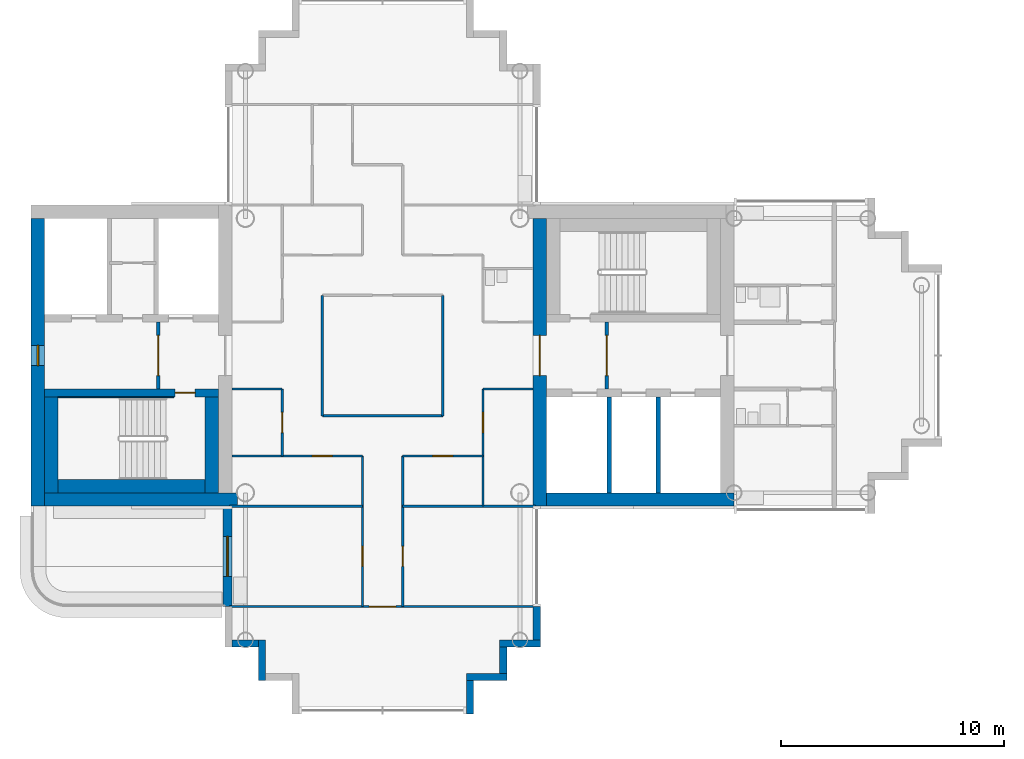
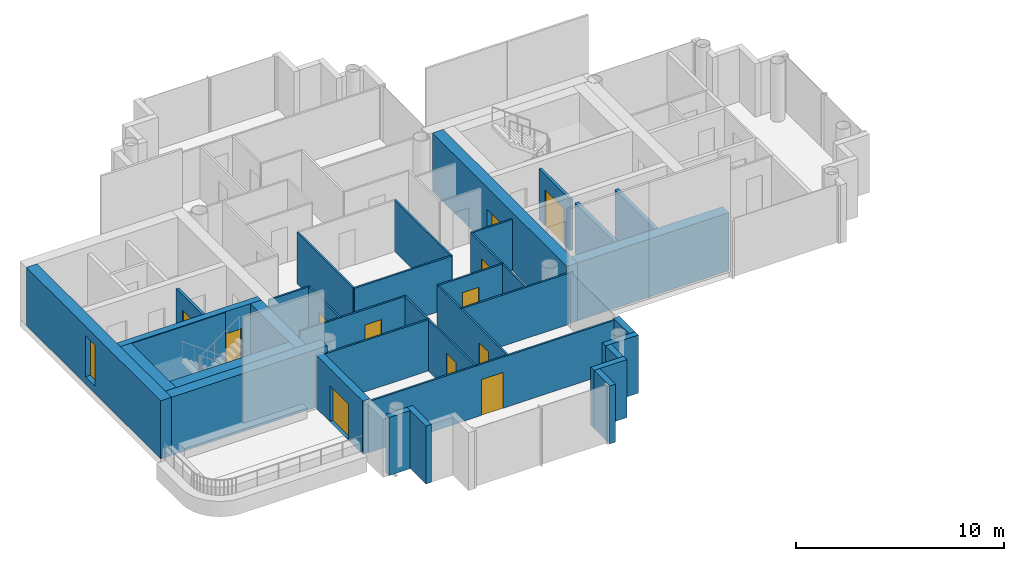
# One storey, part 6 of 18: 35 walls, 12 doors, 1 window, 13 openings.
"""IFC4 building model written with IfcOpenShell, lengths in metres."""

from ifc_helpers import new_model, si_unit, direction, frame, frame_2d, origin, place, context, subcontext, project, spatial, rectangle, extrude, material, layer, layer_set, type_object, element, fill, save


model = new_model("IFC4")

# Units and contexts
model_context = context("Model", 3, precision=1e-05, world=origin(), true_north=direction((0.0, 1.0)))
body_context = subcontext(model_context, "Body", "Model", "MODEL_VIEW")
ifc_project = project(units=[si_unit("LENGTHUNIT", "METRE"), si_unit("AREAUNIT", "SQUARE_METRE"), si_unit("VOLUMEUNIT", "CUBIC_METRE"), si_unit("PLANEANGLEUNIT", "RADIAN"), si_unit("MASSUNIT", "GRAM", prefix="KILO")], contexts=[model_context])

# Site, building, storey
site_placement = place(None, origin())
site = spatial("IfcSite", under=ifc_project, at=site_placement, CompositionType="ELEMENT")
building_placement = place(site_placement, origin())
building = spatial("IfcBuilding", under=site, at=building_placement, Name="Ipe Terrace Towers", CompositionType="ELEMENT")
storey_placement = place(building_placement, frame((0.0, 0.0, 192.60009765625)))
storey = spatial("IfcBuildingStorey", under=building, at=storey_placement, Name="L53", CompositionType="ELEMENT", Elevation=192.60009765625)

# Wall, opening, door
ifc_material_1 = material(Name="Concrete C40/50 with buff precast cladding", Category="concrete")
ifc_layer_1 = layer(ifc_material_1, 0.39990234375)
ifc_layer_set_1 = layer_set([ifc_layer_1], Name="BALCONY BAY WALL 400")
wall_type_1 = type_object("IfcWallType", Name="BALCONY BAY WALL 400", PredefinedType="STANDARD", material=ifc_layer_set_1)
wall_1_placement = place(storey_placement, frame((-42.949951171875, -6.75, -0.02001953125), z_axis=(0.0, 0.0, 1.0), x_axis=(0.0, -1.0, 0.0)))
wall_1 = element("IfcWall", 1, at=wall_1_placement, inside=storey, type_object=wall_type_1, Name="T1-W-L53-02a wall", PredefinedType="STANDARD", context=body_context, shape_type="SweptSolid", body=[
    extrude(rectangle(XDim=4.5, YDim=0.39990234375, at=frame_2d((2.25, 0.0))), origin(), (0.0, 0.0, 1.0), 3.119873046875),
])
opening_1_placement = place(wall_1_placement, frame((1.35009765625, 0.0, 0.02001953125)))
opening_1 = element("IfcOpeningElement", 2, at=opening_1_placement, cuts=wall_1, Name="Opening T1-D-L53-02", PredefinedType="OPENING", context=body_context, shape_type="SweptSolid", body=[
    extrude(rectangle(XDim=1.800048828125, YDim=2.10009765625, at=frame_2d((0.89990234375, 1.050048828125))), frame((0.0, 0.2099609375, 0.0), z_axis=(0.0, -1.0, 0.0), x_axis=(1.0, 0.0, 0.0)), (0.0, 0.0, 1.0), 0.419921875),
])
ifc_material_2 = material(Name="Aluminium alloy 6063-T6 framed glazed door", Category="aluminium")
door_type_1 = type_object("IfcDoorType", Name="BALCONY DOOR 1800 x 2100 LEFT", OperationType="SINGLE_SWING_LEFT", PredefinedType="DOOR", material=ifc_material_2)
door_1_placement = place(opening_1_placement, origin())
door_1 = element("IfcDoor", 3, at=door_1_placement, inside=storey, type_object=door_type_1, Name="DB1 door", OperationType="SINGLE_SWING_LEFT", OverallHeight=2.10009765625, OverallWidth=1.800048828125, PredefinedType="DOOR", context=body_context, shape_type="SweptSolid", body=[
    extrude(rectangle(XDim=1.800048828125, YDim=2.10009765625, at=frame_2d((0.89990234375, 1.050048828125))), frame((0.0, 0.02490234375, 0.0), z_axis=(0.0, -1.0, 0.0), x_axis=(1.0, 0.0, 0.0)), (0.0, 0.0, 1.0), 0.050048828125),
])
fill(opening_1, door_1)

# Walls
ifc_material_3 = material(Name="Concrete C40/50 with buff precast cladding", Category="concrete")
ifc_layer_2 = layer(ifc_material_3, 0.320068359375)
ifc_layer_set_2 = layer_set([ifc_layer_2], Name="BUFF CLADDING WALL 320")
wall_type_2 = type_object("IfcWallType", Name="BUFF CLADDING WALL 320", PredefinedType="STANDARD", material=ifc_layer_set_2)
wall_2_placement = place(storey_placement, frame((-42.75, -12.909912109375, -0.300048828125), z_axis=(0.0, 0.0, 1.0), x_axis=(1.0, 0.0, 0.0)))
element("IfcWall", 4, at=wall_2_placement, inside=storey, type_object=wall_type_2, Name="T1-W-L53-04a wall", PredefinedType="STANDARD", context=body_context, shape_type="SweptSolid", body=[
    extrude(rectangle(XDim=1.179931640625, YDim=0.320068359375, at=frame_2d((0.58984375, 0.0))), origin(), (0.0, 0.0, 1.0), 3.39990234375),
])
wall_3_placement = place(storey_placement, frame((-41.409912109375, -12.75, -0.300048828125), z_axis=(0.0, 0.0, 1.0), x_axis=(0.0, -1.0, 0.0)))
element("IfcWall", 5, at=wall_3_placement, inside=storey, type_object=wall_type_2, Name="T1-W-L53-05a wall", PredefinedType="STANDARD", context=body_context, shape_type="SweptSolid", body=[
    extrude(rectangle(XDim=1.820068359375, YDim=0.320068359375, at=frame_2d((0.91015625, 0.0))), origin(), (0.0, 0.0, 1.0), 3.39990234375),
])
wall_4_placement = place(storey_placement, frame((-32.090087890625, -16.070068359375, -0.300048828125), z_axis=(0.0, 0.0, 1.0), x_axis=(0.0, 1.0, 0.0)))
element("IfcWall", 6, at=wall_4_placement, inside=storey, type_object=wall_type_2, Name="T1-W-L53-09a wall", PredefinedType="STANDARD", context=body_context, shape_type="SweptSolid", body=[
    extrude(rectangle(XDim=1.5, YDim=0.320068359375, at=frame_2d((0.75, 0.0))), origin(), (0.0, 0.0, 1.0), 3.39990234375),
])
wall_5_placement = place(storey_placement, frame((-32.25, -14.409912109375, -0.300048828125), z_axis=(0.0, 0.0, 1.0), x_axis=(1.0, 0.0, 0.0)))
element("IfcWall", 7, at=wall_5_placement, inside=storey, type_object=wall_type_2, Name="T1-W-L53-10a wall", PredefinedType="STANDARD", context=body_context, shape_type="SweptSolid", body=[
    extrude(rectangle(XDim=1.820068359375, YDim=0.320068359375, at=frame_2d((0.91015625, 0.0))), origin(), (0.0, 0.0, 1.0), 3.39990234375),
])
wall_6_placement = place(storey_placement, frame((-30.590087890625, -14.25, -0.300048828125), z_axis=(0.0, 0.0, 1.0), x_axis=(0.0, 1.0, 0.0)))
element("IfcWall", 8, at=wall_6_placement, inside=storey, type_object=wall_type_2, Name="T1-W-L53-11a wall", PredefinedType="STANDARD", context=body_context, shape_type="SweptSolid", body=[
    extrude(rectangle(XDim=1.179931640625, YDim=0.320068359375, at=frame_2d((0.58984375, 0.0))), origin(), (0.0, 0.0, 1.0), 3.39990234375),
])
wall_7_placement = place(storey_placement, frame((-30.75, -12.909912109375, -0.300048828125), z_axis=(0.0, 0.0, 1.0), x_axis=(1.0, 0.0, 0.0)))
element("IfcWall", 9, at=wall_7_placement, inside=storey, type_object=wall_type_2, Name="T1-W-L53-12a wall", PredefinedType="STANDARD", context=body_context, shape_type="SweptSolid", body=[
    extrude(rectangle(XDim=1.820068359375, YDim=0.320068359375, at=frame_2d((0.91015625, 0.0))), origin(), (0.0, 0.0, 1.0), 3.39990234375),
])
wall_8_placement = place(storey_placement, frame((-29.090087890625, -12.75, -0.300048828125), z_axis=(0.0, 0.0, 1.0), x_axis=(0.0, 1.0, 0.0)))
element("IfcWall", 10, at=wall_8_placement, inside=storey, type_object=wall_type_2, Name="T1-W-L53-13a wall", PredefinedType="STANDARD", context=body_context, shape_type="SweptSolid", body=[
    extrude(rectangle(XDim=1.5, YDim=0.320068359375, at=frame_2d((0.75, 0.0))), origin(), (0.0, 0.0, 1.0), 3.39990234375),
])

# Wall, opening, door
ifc_material_4 = material(Name="Gypsum board partition", Category="plasterboard")
ifc_layer_3 = layer(ifc_material_4, 0.10009765625)
ifc_layer_set_3 = layer_set([ifc_layer_3], Name="Gypsum board partition 100 mm")
wall_type_3 = type_object("IfcWallType", Name="Gypsum board partition 100 mm", PredefinedType="PARTITIONING", material=ifc_layer_set_3)
wall_9_placement = place(storey_placement, frame((-40.5, -4.5, 0.0), z_axis=(0.0, 0.0, 1.0), x_axis=(0.0, 1.0, 0.0)))
wall_9 = element("IfcWall", 11, at=wall_9_placement, inside=storey, type_object=wall_type_3, Name="Gypsum board partition T1 L53 W01", PredefinedType="PARTITIONING", context=body_context, shape_type="SweptSolid", body=[
    extrude(rectangle(XDim=3.0, YDim=0.10009765625, at=frame_2d((1.5, 0.0))), origin(), (0.0, 0.0, 1.0), 3.0),
])
opening_2_placement = place(wall_9_placement, frame((1.050048828125, 0.0, 0.0)))
opening_2 = element("IfcOpeningElement", 12, at=opening_2_placement, cuts=wall_9, Name="Opening T1-Z4C-07", PredefinedType="OPENING", context=body_context, shape_type="SweptSolid", body=[
    extrude(rectangle(XDim=0.89990234375, YDim=2.10009765625, at=frame_2d((0.449951171875, 1.050048828125))), frame((0.0, 0.06005859375, 0.0), z_axis=(0.0, -1.0, 0.0), x_axis=(1.0, 0.0, 0.0)), (0.0, 0.0, 1.0), 0.1201171875),
])
ifc_material_5 = material(Name="Timber door leaf", Category="wood")
door_type_2 = type_object("IfcDoorType", Name="Lounge door 900 x 2100", OperationType="NOTDEFINED", PredefinedType="DOOR", material=ifc_material_5)
door_2_placement = place(opening_2_placement, origin())
door_2 = element("IfcDoor", 13, at=door_2_placement, inside=storey, type_object=door_type_2, Name="Lounge door T1-Z4C-07", OperationType="SINGLE_SWING_LEFT", OverallHeight=2.10009765625, OverallWidth=0.89990234375, PredefinedType="DOOR", context=body_context, shape_type="SweptSolid", body=[
    extrude(rectangle(XDim=0.89990234375, YDim=2.10009765625, at=frame_2d((0.449951171875, 1.050048828125))), frame((0.0, 0.02490234375, 0.0), z_axis=(0.0, -1.0, 0.0), x_axis=(1.0, 0.0, 0.0)), (0.0, 0.0, 1.0), 0.050048828125),
])
fill(opening_2, door_2)

# Wall
wall_10_placement = place(storey_placement, frame((-38.699951171875, -2.699951171875, 0.0), z_axis=(0.0, 0.0, 1.0), x_axis=(0.0, 1.0, 0.0)))
element("IfcWall", 14, at=wall_10_placement, inside=storey, type_object=wall_type_3, Name="Gypsum board partition T1 L53 W04", PredefinedType="PARTITIONING", context=body_context, shape_type="SweptSolid", body=[
    extrude(rectangle(XDim=5.39990234375, YDim=0.10009765625, at=frame_2d((2.699951171875, 0.0))), origin(), (0.0, 0.0, 1.0), 3.0),
])

# Wall, opening, door
wall_11_placement = place(storey_placement, frame((-36.89990234375, -11.25, 0.0), z_axis=(0.0, 0.0, 1.0), x_axis=(0.0, 1.0, 0.0)))
wall_11 = element("IfcWall", 15, at=wall_11_placement, inside=storey, type_object=wall_type_3, Name="Gypsum board partition T1 L53 W06", PredefinedType="PARTITIONING", context=body_context, shape_type="SweptSolid", body=[
    extrude(rectangle(XDim=6.75, YDim=0.10009765625, at=frame_2d((3.375, 0.0))), origin(), (0.0, 0.0, 1.0), 3.0),
])
opening_3_placement = place(wall_11_placement, frame((1.800048828125, 0.0, 0.0)))
opening_3 = element("IfcOpeningElement", 16, at=opening_3_placement, cuts=wall_11, Name="Opening T1-Z4C-14", PredefinedType="OPENING", context=body_context, shape_type="SweptSolid", body=[
    extrude(rectangle(XDim=0.89990234375, YDim=2.10009765625, at=frame_2d((0.449951171875, 1.050048828125))), frame((0.0, 0.06005859375, 0.0), z_axis=(0.0, -1.0, 0.0), x_axis=(1.0, 0.0, 0.0)), (0.0, 0.0, 1.0), 0.1201171875),
])
door_3_placement = place(opening_3_placement, origin())
door_3 = element("IfcDoor", 17, at=door_3_placement, inside=storey, type_object=door_type_2, Name="Lounge door T1-Z4C-14", OperationType="SINGLE_SWING_RIGHT", OverallHeight=2.10009765625, OverallWidth=0.89990234375, PredefinedType="DOOR", context=body_context, shape_type="SweptSolid", body=[
    extrude(rectangle(XDim=0.89990234375, YDim=2.10009765625, at=frame_2d((0.449951171875, 1.050048828125))), frame((0.0, 0.02490234375, 0.0), z_axis=(0.0, -1.0, 0.0), x_axis=(1.0, 0.0, 0.0)), (0.0, 0.0, 1.0), 0.050048828125),
])
fill(opening_3, door_3)

wall_12_placement = place(storey_placement, frame((-35.10009765625, -11.25, 0.0), z_axis=(0.0, 0.0, 1.0), x_axis=(0.0, 1.0, 0.0)))
wall_12 = element("IfcWall", 18, at=wall_12_placement, inside=storey, type_object=wall_type_3, Name="Gypsum board partition T1 L53 W08", PredefinedType="PARTITIONING", context=body_context, shape_type="SweptSolid", body=[
    extrude(rectangle(XDim=6.75, YDim=0.10009765625, at=frame_2d((3.375, 0.0))), origin(), (0.0, 0.0, 1.0), 3.0),
])
opening_4_placement = place(wall_12_placement, frame((1.800048828125, 0.0, 0.0)))
opening_4 = element("IfcOpeningElement", 19, at=opening_4_placement, cuts=wall_12, Name="Opening T1-Z4C-13", PredefinedType="OPENING", context=body_context, shape_type="SweptSolid", body=[
    extrude(rectangle(XDim=0.89990234375, YDim=2.10009765625, at=frame_2d((0.449951171875, 1.050048828125))), frame((0.0, 0.06005859375, 0.0), z_axis=(0.0, -1.0, 0.0), x_axis=(1.0, 0.0, 0.0)), (0.0, 0.0, 1.0), 0.1201171875),
])
door_4_placement = place(opening_4_placement, origin())
door_4 = element("IfcDoor", 20, at=door_4_placement, inside=storey, type_object=door_type_2, Name="Lounge door T1-Z4C-13", OperationType="SINGLE_SWING_LEFT", OverallHeight=2.10009765625, OverallWidth=0.89990234375, PredefinedType="DOOR", context=body_context, shape_type="SweptSolid", body=[
    extrude(rectangle(XDim=0.89990234375, YDim=2.10009765625, at=frame_2d((0.449951171875, 1.050048828125))), frame((0.0, 0.02490234375, 0.0), z_axis=(0.0, -1.0, 0.0), x_axis=(1.0, 0.0, 0.0)), (0.0, 0.0, 1.0), 0.050048828125),
])
fill(opening_4, door_4)

# Wall
wall_13_placement = place(storey_placement, frame((-33.300048828125, -2.699951171875, 0.0), z_axis=(0.0, 0.0, 1.0), x_axis=(0.0, 1.0, 0.0)))
element("IfcWall", 21, at=wall_13_placement, inside=storey, type_object=wall_type_3, Name="Gypsum board partition T1 L53 W10", PredefinedType="PARTITIONING", context=body_context, shape_type="SweptSolid", body=[
    extrude(rectangle(XDim=5.39990234375, YDim=0.10009765625, at=frame_2d((2.699951171875, 0.0))), origin(), (0.0, 0.0, 1.0), 3.0),
])

# Wall, opening, door
wall_14_placement = place(storey_placement, frame((-31.5, -6.75, 0.0), z_axis=(0.0, 0.0, 1.0), x_axis=(0.0, 1.0, 0.0)))
wall_14 = element("IfcWall", 22, at=wall_14_placement, inside=storey, type_object=wall_type_3, Name="Gypsum board partition T1 L53 W11", PredefinedType="PARTITIONING", context=body_context, shape_type="SweptSolid", body=[
    extrude(rectangle(XDim=5.25, YDim=0.10009765625, at=frame_2d((2.625, 0.0))), origin(), (0.0, 0.0, 1.0), 3.0),
])
opening_5_placement = place(wall_14_placement, frame((3.300048828125, 0.0, 0.0)))
opening_5 = element("IfcOpeningElement", 23, at=opening_5_placement, cuts=wall_14, Name="Opening T1-Z4C-09", PredefinedType="OPENING", context=body_context, shape_type="SweptSolid", body=[
    extrude(rectangle(XDim=0.89990234375, YDim=2.10009765625, at=frame_2d((0.449951171875, 1.050048828125))), frame((0.0, 0.06005859375, 0.0), z_axis=(0.0, -1.0, 0.0), x_axis=(1.0, 0.0, 0.0)), (0.0, 0.0, 1.0), 0.1201171875),
])
door_5_placement = place(opening_5_placement, origin())
door_5 = element("IfcDoor", 24, at=door_5_placement, inside=storey, type_object=door_type_2, Name="Lounge door T1-Z4C-09", OperationType="SINGLE_SWING_RIGHT", OverallHeight=2.10009765625, OverallWidth=0.89990234375, PredefinedType="DOOR", context=body_context, shape_type="SweptSolid", body=[
    extrude(rectangle(XDim=0.89990234375, YDim=2.10009765625, at=frame_2d((0.449951171875, 1.050048828125))), frame((0.0, 0.02490234375, 0.0), z_axis=(0.0, -1.0, 0.0), x_axis=(1.0, 0.0, 0.0)), (0.0, 0.0, 1.0), 0.050048828125),
])
fill(opening_5, door_5)

wall_15_placement = place(storey_placement, frame((-42.85009765625, -11.25, 0.0), z_axis=(0.0, 0.0, 1.0), x_axis=(1.0, 0.0, 0.0)))
wall_15 = element("IfcWall", 25, at=wall_15_placement, inside=storey, type_object=wall_type_3, Name="Gypsum board partition T1 L53 W18", PredefinedType="PARTITIONING", context=body_context, shape_type="SweptSolid", body=[
    extrude(rectangle(XDim=13.7001953125, YDim=0.10009765625, at=frame_2d((6.85009765625, 0.0))), origin(), (0.0, 0.0, 1.0), 3.0),
])
opening_6_placement = place(wall_15_placement, frame((6.25, 0.0, 0.0)))
opening_6 = element("IfcOpeningElement", 26, at=opening_6_placement, cuts=wall_15, Name="Opening T1-Z4C-15", PredefinedType="OPENING", context=body_context, shape_type="SweptSolid", body=[
    extrude(rectangle(XDim=1.199951171875, YDim=2.10009765625, at=frame_2d((0.60009765625, 1.050048828125))), frame((0.0, 0.06005859375, 0.0), z_axis=(0.0, -1.0, 0.0), x_axis=(1.0, 0.0, 0.0)), (0.0, 0.0, 1.0), 0.1201171875),
])
ifc_material_6 = material(Name="Timber door leaf", Category="wood")
door_type_3 = type_object("IfcDoorType", Name="Lounge door 1200 x 2100", OperationType="NOTDEFINED", PredefinedType="DOOR", material=ifc_material_6)
door_6_placement = place(opening_6_placement, origin())
door_6 = element("IfcDoor", 27, at=door_6_placement, inside=storey, type_object=door_type_3, Name="Lounge door T1-Z4C-15", OperationType="SINGLE_SWING_RIGHT", OverallHeight=2.10009765625, OverallWidth=1.199951171875, PredefinedType="DOOR", context=body_context, shape_type="SweptSolid", body=[
    extrude(rectangle(XDim=1.199951171875, YDim=2.10009765625, at=frame_2d((0.60009765625, 1.050048828125))), frame((0.0, 0.02490234375, 0.0), z_axis=(0.0, -1.0, 0.0), x_axis=(1.0, 0.0, 0.0)), (0.0, 0.0, 1.0), 0.050048828125),
])
fill(opening_6, door_6)

# Walls
for number, where, z_axis, x_axis, name in (
    (28, (-42.85009765625, -6.75, 0.0), (0.0, 0.0, 1.0), (1.0, 0.0, 0.0), "Gypsum board partition T1 L53 W19"),
    (29, (-35.10009765625, -6.75, 0.0), (0.0, 0.0, 1.0), (1.0, 0.0, 0.0), "Gypsum board partition T1 L53 W20"),
):
    element("IfcWall", number, at=place(storey_placement, frame(where, z_axis=z_axis, x_axis=x_axis)), inside=storey, type_object=wall_type_3, Name=name, PredefinedType="PARTITIONING", context=body_context, shape_type="SweptSolid", body=[
        extrude(rectangle(XDim=5.9501953125, YDim=0.10009765625, at=frame_2d((2.97509765625, 0.0))), origin(), (0.0, 0.0, 1.0), 3.0),
    ])

# Wall, opening, door
wall_16_placement = place(storey_placement, frame((-42.75, -4.5, 0.0), z_axis=(0.0, 0.0, 1.0), x_axis=(1.0, 0.0, 0.0)))
wall_16 = element("IfcWall", 30, at=wall_16_placement, inside=storey, type_object=wall_type_3, Name="Gypsum board partition T1 L53 W21", PredefinedType="PARTITIONING", context=body_context, shape_type="SweptSolid", body=[
    extrude(rectangle(XDim=5.85009765625, YDim=0.10009765625, at=frame_2d((2.925048828125, 0.0))), origin(), (0.0, 0.0, 1.0), 3.0),
])
opening_7_placement = place(wall_16_placement, frame((3.60009765625, 0.0, 0.0)))
opening_7 = element("IfcOpeningElement", 31, at=opening_7_placement, cuts=wall_16, Name="Opening T1-Z4C-06", PredefinedType="OPENING", context=body_context, shape_type="SweptSolid", body=[
    extrude(rectangle(XDim=0.89990234375, YDim=2.10009765625, at=frame_2d((0.449951171875, 1.050048828125))), frame((0.0, 0.06005859375, 0.0), z_axis=(0.0, -1.0, 0.0), x_axis=(1.0, 0.0, 0.0)), (0.0, 0.0, 1.0), 0.1201171875),
])
door_7_placement = place(opening_7_placement, origin())
door_7 = element("IfcDoor", 32, at=door_7_placement, inside=storey, type_object=door_type_2, Name="Lounge door T1-Z4C-06", OperationType="SINGLE_SWING_RIGHT", OverallHeight=2.10009765625, OverallWidth=0.89990234375, PredefinedType="DOOR", context=body_context, shape_type="SweptSolid", body=[
    extrude(rectangle(XDim=0.89990234375, YDim=2.10009765625, at=frame_2d((0.449951171875, 1.050048828125))), frame((0.0, 0.02490234375, 0.0), z_axis=(0.0, -1.0, 0.0), x_axis=(1.0, 0.0, 0.0)), (0.0, 0.0, 1.0), 0.050048828125),
])
fill(opening_7, door_7)

wall_17_placement = place(storey_placement, frame((-35.10009765625, -4.5, 0.0), z_axis=(0.0, 0.0, 1.0), x_axis=(1.0, 0.0, 0.0)))
wall_17 = element("IfcWall", 33, at=wall_17_placement, inside=storey, type_object=wall_type_3, Name="Gypsum board partition T1 L53 W22", PredefinedType="PARTITIONING", context=body_context, shape_type="SweptSolid", body=[
    extrude(rectangle(XDim=3.60009765625, YDim=0.10009765625, at=frame_2d((1.800048828125, 0.0))), origin(), (0.0, 0.0, 1.0), 3.0),
])
opening_8_placement = place(wall_17_placement, frame((1.35009765625, 0.0, 0.0)))
opening_8 = element("IfcOpeningElement", 34, at=opening_8_placement, cuts=wall_17, Name="Opening T1-Z4C-08", PredefinedType="OPENING", context=body_context, shape_type="SweptSolid", body=[
    extrude(rectangle(XDim=0.89990234375, YDim=2.10009765625, at=frame_2d((0.449951171875, 1.050048828125))), frame((0.0, 0.06005859375, 0.0), z_axis=(0.0, -1.0, 0.0), x_axis=(1.0, 0.0, 0.0)), (0.0, 0.0, 1.0), 0.1201171875),
])
door_8_placement = place(opening_8_placement, origin())
door_8 = element("IfcDoor", 35, at=door_8_placement, inside=storey, type_object=door_type_2, Name="Lounge door T1-Z4C-08", OperationType="SINGLE_SWING_RIGHT", OverallHeight=2.10009765625, OverallWidth=0.89990234375, PredefinedType="DOOR", context=body_context, shape_type="SweptSolid", body=[
    extrude(rectangle(XDim=0.89990234375, YDim=2.10009765625, at=frame_2d((0.449951171875, 1.050048828125))), frame((0.0, 0.02490234375, 0.0), z_axis=(0.0, -1.0, 0.0), x_axis=(1.0, 0.0, 0.0)), (0.0, 0.0, 1.0), 0.050048828125),
])
fill(opening_8, door_8)

# Walls
wall_18_placement = place(storey_placement, frame((-38.699951171875, -2.699951171875, 0.0), z_axis=(0.0, 0.0, 1.0), x_axis=(1.0, 0.0, 0.0)))
element("IfcWall", 36, at=wall_18_placement, inside=storey, type_object=wall_type_3, Name="Gypsum board partition T1 L53 W24", PredefinedType="PARTITIONING", context=body_context, shape_type="SweptSolid", body=[
    extrude(rectangle(XDim=5.39990234375, YDim=0.10009765625, at=frame_2d((2.699951171875, 0.0))), origin(), (0.0, 0.0, 1.0), 3.0),
])
for number, where, z_axis, x_axis, name in (
    (37, (-42.75, -1.5, 0.0), (0.0, 0.0, 1.0), (1.0, 0.0, 0.0), "Gypsum board partition T1 L53 W25"),
    (38, (-31.5, -1.5, 0.0), (0.0, 0.0, 1.0), (1.0, 0.0, 0.0), "Gypsum board partition T1 L53 W26"),
):
    element("IfcWall", number, at=place(storey_placement, frame(where, z_axis=z_axis, x_axis=x_axis)), inside=storey, type_object=wall_type_3, Name=name, PredefinedType="PARTITIONING", context=body_context, shape_type="SweptSolid", body=[
        extrude(rectangle(XDim=2.25, YDim=0.10009765625, at=frame_2d((1.125, 0.0))), origin(), (0.0, 0.0, 1.0), 3.0),
    ])

# Wall, opening, door
ifc_material_7 = material(Name="Gypsum board partition", Category="plasterboard")
ifc_layer_4 = layer(ifc_material_7, 0.14990234375)
ifc_layer_set_4 = layer_set([ifc_layer_4], Name="Gypsum board partition 150 mm")
wall_type_4 = type_object("IfcWallType", Name="Gypsum board partition 150 mm", PredefinedType="PARTITIONING", material=ifc_layer_set_4)
wall_19_placement = place(storey_placement, frame((-25.949951171875, -1.5, 0.0), z_axis=(0.0, 0.0, 1.0), x_axis=(0.0, 1.0, 0.0)))
wall_19 = element("IfcWall", 39, at=wall_19_placement, inside=storey, type_object=wall_type_4, Name="Gypsum board partition T1 L53 t1c1-lobby-wall", PredefinedType="PARTITIONING", context=body_context, shape_type="SweptSolid", body=[
    extrude(rectangle(XDim=3.0, YDim=0.14990234375, at=frame_2d((1.5, 0.0))), origin(), (0.0, 0.0, 1.0), 3.0),
])
opening_9_placement = place(wall_19_placement, frame((0.60009765625, 0.0, 0.0)))
opening_9 = element("IfcOpeningElement", 40, at=opening_9_placement, cuts=wall_19, Name="Opening T1C1-VD", PredefinedType="OPENING", context=body_context, shape_type="SweptSolid", body=[
    extrude(rectangle(XDim=1.800048828125, YDim=2.10009765625, at=frame_2d((0.89990234375, 1.050048828125))), frame((0.0, 0.0849609375, 0.0), z_axis=(0.0, -1.0, 0.0), x_axis=(1.0, 0.0, 0.0)), (0.0, 0.0, 1.0), 0.169921875),
])
ifc_material_8 = material(Name="Fire-rated timber door leaf", Category="wood")
door_type_4 = type_object("IfcDoorType", Name="Lobby door 1800 x 2100 FD60", OperationType="NOTDEFINED", PredefinedType="DOOR", material=ifc_material_8)
door_9_placement = place(opening_9_placement, origin())
door_9 = element("IfcDoor", 41, at=door_9_placement, inside=storey, type_object=door_type_4, Name="Lobby door T1C1-VD", OperationType="SINGLE_SWING_LEFT", OverallHeight=2.10009765625, OverallWidth=1.800048828125, PredefinedType="DOOR", context=body_context, shape_type="SweptSolid", body=[
    extrude(rectangle(XDim=1.800048828125, YDim=2.10009765625, at=frame_2d((0.89990234375, 1.050048828125))), frame((0.0, 0.02490234375, 0.0), z_axis=(0.0, -1.0, 0.0), x_axis=(1.0, 0.0, 0.0)), (0.0, 0.0, 1.0), 0.050048828125),
])
fill(opening_9, door_9)

wall_20_placement = place(storey_placement, frame((-46.050048828125, 1.5, 0.0), z_axis=(0.0, 0.0, 1.0), x_axis=(0.0, -1.0, 0.0)))
wall_20 = element("IfcWall", 42, at=wall_20_placement, inside=storey, type_object=wall_type_4, Name="Gypsum board partition T1 L53 t1c2-lobby-wall", PredefinedType="PARTITIONING", context=body_context, shape_type="SweptSolid", body=[
    extrude(rectangle(XDim=3.0, YDim=0.14990234375, at=frame_2d((1.5, 0.0))), origin(), (0.0, 0.0, 1.0), 3.0),
])
opening_10_placement = place(wall_20_placement, frame((0.60009765625, 0.0, 0.0)))
opening_10 = element("IfcOpeningElement", 43, at=opening_10_placement, cuts=wall_20, Name="Opening T1C2-VD", PredefinedType="OPENING", context=body_context, shape_type="SweptSolid", body=[
    extrude(rectangle(XDim=1.800048828125, YDim=2.10009765625, at=frame_2d((0.89990234375, 1.050048828125))), frame((0.0, 0.0849609375, 0.0), z_axis=(0.0, -1.0, 0.0), x_axis=(1.0, 0.0, 0.0)), (0.0, 0.0, 1.0), 0.169921875),
])
door_10_placement = place(opening_10_placement, origin())
door_10 = element("IfcDoor", 44, at=door_10_placement, inside=storey, type_object=door_type_4, Name="Lobby door T1C2-VD", OperationType="SINGLE_SWING_LEFT", OverallHeight=2.10009765625, OverallWidth=1.800048828125, PredefinedType="DOOR", context=body_context, shape_type="SweptSolid", body=[
    extrude(rectangle(XDim=1.800048828125, YDim=2.10009765625, at=frame_2d((0.89990234375, 1.050048828125))), frame((0.0, 0.02490234375, 0.0), z_axis=(0.0, -1.0, 0.0), x_axis=(1.0, 0.0, 0.0)), (0.0, 0.0, 1.0), 0.050048828125),
])
fill(opening_10, door_10)

# Walls
ifc_material_9 = material(Name="Gypsum board party wall", Category="plasterboard")
ifc_layer_5 = layer(ifc_material_9, 0.199951171875)
ifc_layer_set_5 = layer_set([ifc_layer_5], Name="Gypsum board party wall 200 mm")
wall_type_5 = type_object("IfcWallType", Name="Gypsum board party wall 200 mm", PredefinedType="SOLIDWALL", material=ifc_layer_set_5)
for number, where, z_axis, x_axis, name in (
    (45, (-25.85009765625, -6.14990234375, 0.0), (0.0, 0.0, 1.0), (0.0, 1.0, 0.0), "Gypsum board party wall T1 L53 t1c1-shaft-div1"),
    (46, (-23.64990234375, -6.14990234375, 0.0), (0.0, 0.0, 1.0), (0.0, 1.0, 0.0), "Gypsum board party wall T1 L53 t1c1-shaft-div2"),
):
    element("IfcWall", number, at=place(storey_placement, frame(where, z_axis=z_axis, x_axis=x_axis)), inside=storey, type_object=wall_type_5, Name=name, PredefinedType="SOLIDWALL", context=body_context, shape_type="SweptSolid", body=[
        extrude(rectangle(XDim=4.2998046875, YDim=0.199951171875, at=frame_2d((2.14990234375, 0.0))), origin(), (0.0, 0.0, 1.0), 3.0),
    ])

# Wall, opening, door
ifc_material_10 = material(Name="Concrete C40/50", Category="concrete")
ifc_layer_6 = layer(ifc_material_10, 0.35009765625)
ifc_layer_set_6 = layer_set([ifc_layer_6], Name="RW350 CORE SPINE WALL 350 C40-50")
wall_type_6 = type_object("IfcWallType", Name="RW350 CORE SPINE WALL 350 C40-50", PredefinedType="SHEAR", material=ifc_layer_set_6)
wall_21_placement = place(storey_placement, frame((-51.14990234375, -1.675048828125, 0.0), z_axis=(0.0, 0.0, 1.0), x_axis=(1.0, 0.0, 0.0)))
wall_21 = element("IfcWall", 47, at=wall_21_placement, inside=storey, type_object=wall_type_6, Name="Core spine wall T1-C2-Z4-SW1", PredefinedType="SHEAR", context=body_context, shape_type="SweptSolid", body=[
    extrude(rectangle(XDim=7.7998046875, YDim=0.35009765625, at=frame_2d((3.89990234375, 0.0))), origin(), (0.0, 0.0, 1.0), 3.39990234375),
])
opening_11_placement = place(wall_21_placement, frame((5.85009765625, 0.0, 0.0)))
opening_11 = element("IfcOpeningElement", 48, at=opening_11_placement, cuts=wall_21, Name="Opening T1C2-SD", PredefinedType="OPENING", context=body_context, shape_type="SweptSolid", body=[
    extrude(rectangle(XDim=0.89990234375, YDim=2.10009765625, at=frame_2d((0.449951171875, 1.050048828125))), frame((0.0, 0.18505859375, 0.0), z_axis=(0.0, -1.0, 0.0), x_axis=(1.0, 0.0, 0.0)), (0.0, 0.0, 1.0), 0.3701171875),
])
ifc_material_11 = material(Name="Fire-rated timber door leaf", Category="wood")
door_type_5 = type_object("IfcDoorType", Name="Stair door 900 x 2100 FD60", OperationType="NOTDEFINED", PredefinedType="DOOR", material=ifc_material_11)
door_11_placement = place(opening_11_placement, origin())
door_11 = element("IfcDoor", 49, at=door_11_placement, inside=storey, type_object=door_type_5, Name="Stair door T1C2-SD", OperationType="SINGLE_SWING_RIGHT", OverallHeight=2.10009765625, OverallWidth=0.89990234375, PredefinedType="DOOR", context=body_context, shape_type="SweptSolid", body=[
    extrude(rectangle(XDim=0.89990234375, YDim=2.10009765625, at=frame_2d((0.449951171875, 1.050048828125))), frame((0.0, 0.02490234375, 0.0), z_axis=(0.0, -1.0, 0.0), x_axis=(1.0, 0.0, 0.0)), (0.0, 0.0, 1.0), 0.050048828125),
])
fill(opening_11, door_11)

# Walls
ifc_material_12 = material(Name="Concrete C40/50", Category="concrete")
ifc_layer_7 = layer(ifc_material_12, 0.050048828125)
ifc_layer_set_7 = layer_set([ifc_layer_7], Name="RW50 CORE INFILL WALL 50 C40-50")
wall_type_7 = type_object("IfcWallType", Name="RW50 CORE INFILL WALL 50 C40-50", PredefinedType="SHEAR", material=ifc_layer_set_7)
wall_22_placement = place(storey_placement, frame((-45.35009765625, -1.875, 0.0), z_axis=(0.0, 0.0, 1.0), x_axis=(-1.0, 0.0, 0.0)))
element("IfcWall", 50, at=wall_22_placement, inside=storey, type_object=wall_type_7, Name="Core infill wall T1-C2-spine-b", PredefinedType="SHEAR", context=body_context, shape_type="SweptSolid", body=[
    extrude(rectangle(XDim=5.199951171875, YDim=0.050048828125, at=frame_2d((2.60009765625, 0.0))), origin(), (0.0, 0.0, 1.0), 3.39990234375),
])
ifc_material_13 = material(Name="Concrete C40/50", Category="concrete")
ifc_layer_8 = layer(ifc_material_13, 0.60009765625)
ifc_layer_set_8 = layer_set([ifc_layer_8], Name="RW600 CORE INFILL WALL 600 C40-50")
wall_type_8 = type_object("IfcWallType", Name="RW600 CORE INFILL WALL 600 C40-50", PredefinedType="SHEAR", material=ifc_layer_set_8)
wall_23_placement = place(storey_placement, frame((-50.85009765625, -1.85009765625, 0.0), z_axis=(0.0, 0.0, 1.0), x_axis=(0.0, -1.0, 0.0)))
element("IfcWall", 51, at=wall_23_placement, inside=storey, type_object=wall_type_8, Name="Core infill wall T1-C2-far", PredefinedType="SHEAR", context=body_context, shape_type="SweptSolid", body=[
    extrude(rectangle(XDim=4.2998046875, YDim=0.60009765625, at=frame_2d((2.14990234375, 0.0))), origin(), (0.0, 0.0, 1.0), 3.39990234375),
])
wall_24_placement = place(storey_placement, frame((-43.949951171875, -5.85009765625, 0.0), z_axis=(0.0, 0.0, 1.0), x_axis=(-1.0, 0.0, 0.0)))
element("IfcWall", 52, at=wall_24_placement, inside=storey, type_object=wall_type_8, Name="Core infill wall T1-C2-back", PredefinedType="SHEAR", context=body_context, shape_type="SweptSolid", body=[
    extrude(rectangle(XDim=6.60009765625, YDim=0.60009765625, at=frame_2d((3.300048828125, 0.0))), origin(), (0.0, 0.0, 1.0), 3.39990234375),
])
wall_25_placement = place(storey_placement, frame((-43.64990234375, -1.85009765625, 0.0), z_axis=(0.0, 0.0, 1.0), x_axis=(0.0, -1.0, 0.0)))
element("IfcWall", 53, at=wall_25_placement, inside=storey, type_object=wall_type_8, Name="Core infill wall T1-C2-near", PredefinedType="SHEAR", context=body_context, shape_type="SweptSolid", body=[
    extrude(rectangle(XDim=4.2998046875, YDim=0.60009765625, at=frame_2d((2.14990234375, 0.0))), origin(), (0.0, 0.0, 1.0), 3.39990234375),
])
ifc_material_14 = material(Name="Concrete C40/50", Category="concrete")
ifc_layer_9 = layer(ifc_material_14, 0.60009765625)
ifc_layer_set_9 = layer_set([ifc_layer_9], Name="RW600 CORE WALL 600 C40-50")
wall_type_9 = type_object("IfcWallType", Name="RW600 CORE WALL 600 C40-50", PredefinedType="SHEAR", material=ifc_layer_set_9)
wall_26_placement = place(storey_placement, frame((-28.64990234375, -6.449951171875, 0.0), z_axis=(0.0, 0.0, 1.0), x_axis=(1.0, 0.0, 0.0)))
element("IfcWall", 54, at=wall_26_placement, inside=storey, type_object=wall_type_9, Name="Core wall T1-C1-Z4-W01", PredefinedType="SHEAR", context=body_context, shape_type="SweptSolid", body=[
    extrude(rectangle(XDim=8.39990234375, YDim=0.60009765625, at=frame_2d((4.199951171875, 0.0))), origin(), (0.0, 0.0, 1.0), 3.39990234375),
])

# Wall, opening, door
wall_27_placement = place(storey_placement, frame((-28.949951171875, 6.14990234375, 0.0), z_axis=(0.0, 0.0, 1.0), x_axis=(0.0, -1.0, 0.0)))
wall_27 = element("IfcWall", 55, at=wall_27_placement, inside=storey, type_object=wall_type_9, Name="Core wall T1-C1-Z4-W04", PredefinedType="SHEAR", context=body_context, shape_type="SweptSolid", body=[
    extrude(rectangle(XDim=12.89990234375, YDim=0.60009765625, at=frame_2d((6.449951171875, 0.0))), origin(), (0.0, 0.0, 1.0), 3.39990234375),
])
opening_12_placement = place(wall_27_placement, frame((5.25, 0.0, 0.0)))
opening_12 = element("IfcOpeningElement", 56, at=opening_12_placement, cuts=wall_27, Name="Opening T1C1-ND", PredefinedType="OPENING", context=body_context, shape_type="SweptSolid", body=[
    extrude(rectangle(XDim=1.800048828125, YDim=2.10009765625, at=frame_2d((0.89990234375, 1.050048828125))), frame((0.0, 0.31005859375, 0.0), z_axis=(0.0, -1.0, 0.0), x_axis=(1.0, 0.0, 0.0)), (0.0, 0.0, 1.0), 0.6201171875),
])
ifc_material_15 = material(Name="Fire-rated timber door leaf", Category="wood")
door_type_6 = type_object("IfcDoorType", Name="Fire door 1800 x 2100 FD30S", OperationType="NOTDEFINED", PredefinedType="DOOR", material=ifc_material_15)
door_12_placement = place(opening_12_placement, origin())
door_12 = element("IfcDoor", 57, at=door_12_placement, inside=storey, type_object=door_type_6, Name="Fire door T1C1-ND", OperationType="SINGLE_SWING_LEFT", OverallHeight=2.10009765625, OverallWidth=1.800048828125, PredefinedType="DOOR", context=body_context, shape_type="SweptSolid", body=[
    extrude(rectangle(XDim=1.800048828125, YDim=2.10009765625, at=frame_2d((0.89990234375, 1.050048828125))), frame((0.0, 0.02490234375, 0.0), z_axis=(0.0, -1.0, 0.0), x_axis=(1.0, 0.0, 0.0)), (0.0, 0.0, 1.0), 0.050048828125),
])
fill(opening_12, door_12)

# Wall
wall_28_placement = place(storey_placement, frame((-51.14990234375, -6.449951171875, 0.0), z_axis=(0.0, 0.0, 1.0), x_axis=(1.0, 0.0, 0.0)))
element("IfcWall", 58, at=wall_28_placement, inside=storey, type_object=wall_type_9, Name="Core wall T1-C2-Z4-W01", PredefinedType="SHEAR", context=body_context, shape_type="SweptSolid", body=[
    extrude(rectangle(XDim=8.64794921875, YDim=0.60009765625, at=frame_2d((4.323974609375, 0.0))), origin(), (0.0, 0.0, 1.0), 3.39990234375),
])

# Wall, opening, window
wall_29_placement = place(storey_placement, frame((-51.449951171875, 6.14990234375, 0.0), z_axis=(0.0, 0.0, 1.0), x_axis=(0.0, -1.0, 0.0)))
wall_29 = element("IfcWall", 59, at=wall_29_placement, inside=storey, type_object=wall_type_9, Name="Core wall T1-C2-Z4-W04", PredefinedType="SHEAR", context=body_context, shape_type="SweptSolid", body=[
    extrude(rectangle(XDim=12.89990234375, YDim=0.60009765625, at=frame_2d((6.449951171875, 0.0))), origin(), (0.0, 0.0, 1.0), 3.39990234375),
])
opening_13_placement = place(wall_29_placement, frame((5.699951171875, 0.0, 0.449951171875)))
opening_13 = element("IfcOpeningElement", 60, at=opening_13_placement, cuts=wall_29, Name="Opening T1-C2-W-01-L53", PredefinedType="OPENING", context=body_context, shape_type="SweptSolid", body=[
    extrude(rectangle(XDim=0.89990234375, YDim=2.39990234375, at=frame_2d((0.449951171875, 1.199951171875))), frame((0.0, 0.31005859375, 0.0), z_axis=(0.0, -1.0, 0.0), x_axis=(1.0, 0.0, 0.0)), (0.0, 0.0, 1.0), 0.6201171875),
])
ifc_material_16 = material(Name="Fire-resistant glazing EI 60", Category="glass")
window_type = type_object("IfcWindowType", Name="CORRIDOR END SLOT WINDOW 900 x 2400 EI 60", PartitioningType="SINGLE_PANEL", PredefinedType="WINDOW", material=ifc_material_16)
window_placement = place(opening_13_placement, origin())
window = element("IfcWindow", 61, at=window_placement, inside=storey, type_object=window_type, Name="W-01 window", OverallHeight=2.39990234375, OverallWidth=0.89990234375, PartitioningType="SINGLE_PANEL", PredefinedType="WINDOW", context=body_context, shape_type="SweptSolid", body=[
    extrude(rectangle(XDim=0.89990234375, YDim=2.39990234375, at=frame_2d((0.449951171875, 1.199951171875))), frame((0.0, 0.030029296875, 0.0), z_axis=(0.0, -1.0, 0.0), x_axis=(1.0, 0.0, 0.0)), (0.0, 0.0, 1.0), 0.06005859375),
])
fill(opening_13, window)

save(model, "model.ifc")
